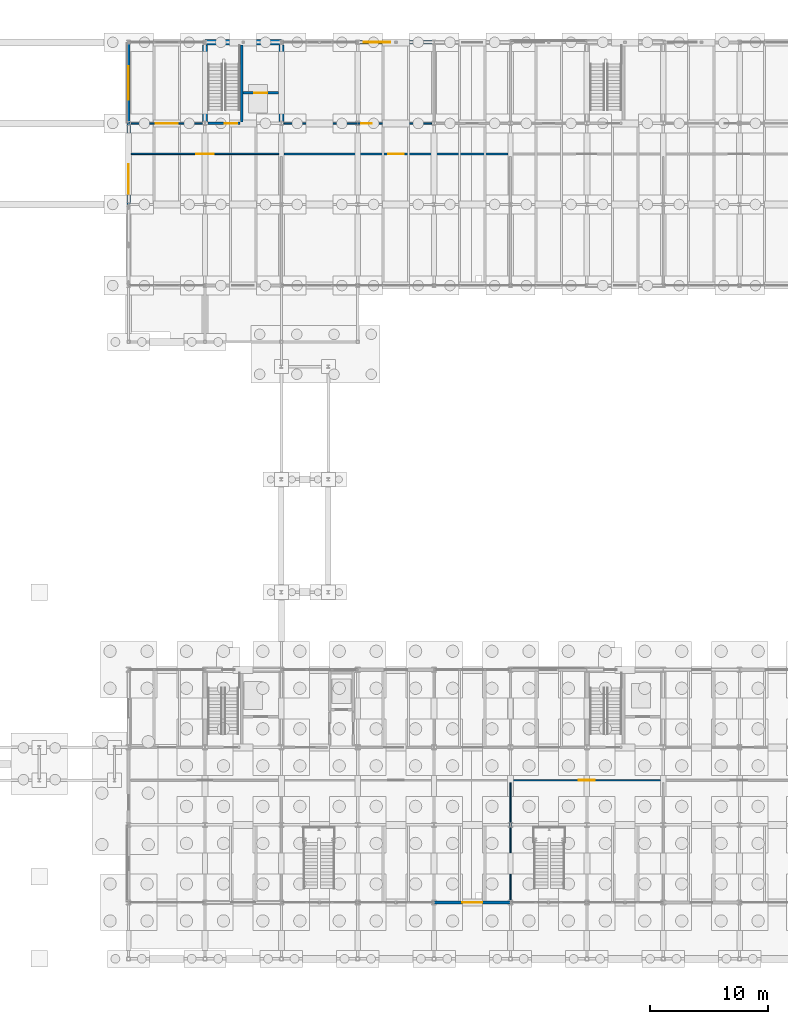
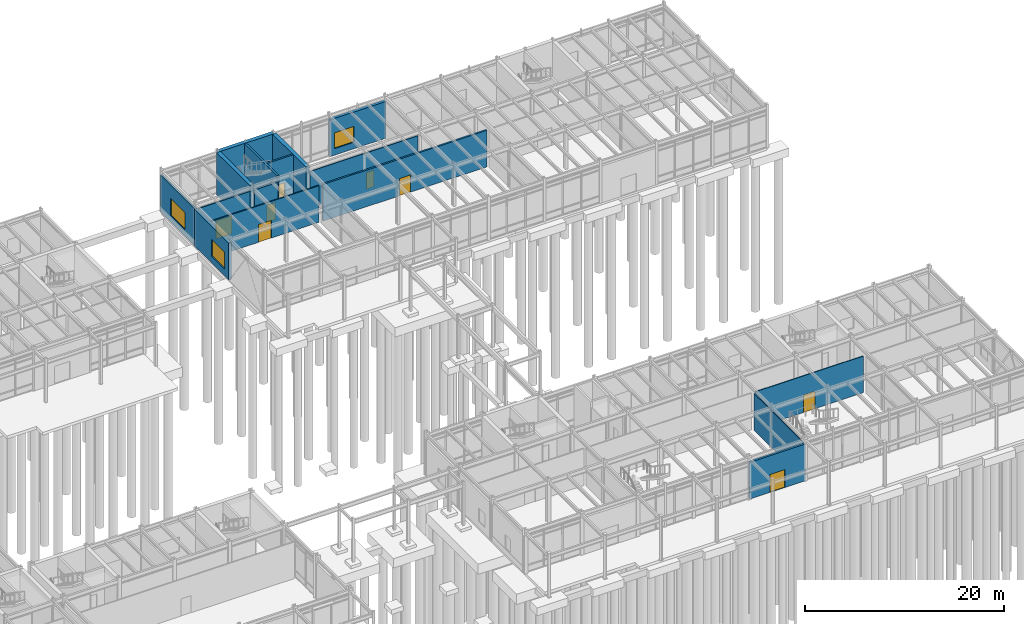
# One storey, part 73 of 82: 16 walls, 8 doors, 3 windows, 11 openings.
"""IFC4 building model written with IfcOpenShell, lengths in metres."""

import ifcopenshell
import ifcopenshell.guid

model = None  # the IFC model being written
_history = None  # IfcOwnerHistory: only IFC2X3 demands one
_inside = {}  # id of a spatial element -> (the spatial element, [elements in it])
_under = {}  # id of a project, library or spatial element -> (it, [spatial elements below it])
_declared = {}  # id of a project -> (the project, [libraries it declares])
_typed = {}  # id of a type object -> (the type object, [elements of that type])
_made_of = {}  # id of a material, layer set ... -> (it, [elements and type objects made of it])


def new_model(schema):
    """Start an empty IFC model of exactly this schema.

    Asked for "IFC4X3", IfcOpenShell would pick the latest addendum, in which some entities
    have other attributes; the version numbers below select the first issue.
    IFC2X3 requires an IfcOwnerHistory on every rooted entity: one is made here for all.
    """
    global model, _history
    if schema == "IFC4X3":
        model = ifcopenshell.file(schema_version=(4, 3, 0, 0))
    else:
        model = ifcopenshell.file(schema=schema)
    _inside.clear()
    _under.clear()
    _declared.clear()
    _typed.clear()
    _made_of.clear()
    _history = None
    if model.schema == "IFC2X3":
        org = make("IfcOrganization", Name="unknown")
        user = make(
            "IfcPersonAndOrganization",
            ThePerson=make("IfcPerson", FamilyName="unknown"),
            TheOrganization=org,
        )
        app = make(
            "IfcApplication",
            ApplicationDeveloper=org,
            Version="unknown",
            ApplicationFullName="unknown",
            ApplicationIdentifier="unknown",
        )
        _history = make(
            "IfcOwnerHistory",
            OwningUser=user,
            OwningApplication=app,
            ChangeAction="ADDED",
            CreationDate=0,
        )
    return model


def make(cls, **values):
    """One entity of the class cls with the attributes given. An attribute that is None is left unset."""
    return model.create_entity(
        cls, **{name: value for name, value in values.items() if value is not None}
    )


def rooted(cls, **values):
    """An entity with a GlobalId (a new one), such as an element, a storey or a relation."""
    return make(cls, GlobalId=ifcopenshell.guid.new(), OwnerHistory=_history, **values)


def si_unit(unit_type, name, prefix=None):
    """IfcSIUnit, for example si_unit("LENGTHUNIT", "METRE", prefix="MILLI")."""
    return make("IfcSIUnit", UnitType=unit_type, Prefix=prefix, Name=name)


def assignment(units):
    """IfcUnitAssignment: the units of a project."""
    return None if units is None else make("IfcUnitAssignment", Units=units)


def point(xyz):
    """IfcCartesianPoint."""
    return None if xyz is None else make("IfcCartesianPoint", Coordinates=xyz)


def direction(xyz):
    """IfcDirection."""
    return None if xyz is None else make("IfcDirection", DirectionRatios=xyz)


def frame(location, z_axis=None, x_axis=None):
    """IfcAxis2Placement3D, a coordinate frame: its origin and axes. An axis left out is left unset."""
    return make(
        "IfcAxis2Placement3D",
        Location=point(location),
        Axis=direction(z_axis),
        RefDirection=direction(x_axis),
    )


def frame_2d(location, x_axis=None):
    """IfcAxis2Placement2D, a coordinate frame in the plane: its origin and x axis."""
    return make(
        "IfcAxis2Placement2D", Location=point(location), RefDirection=direction(x_axis)
    )


def origin():
    """The frame at (0, 0, 0) with its axes left unset."""
    return frame((0.0, 0.0, 0.0))


def place(relative_to, where):
    """IfcLocalPlacement: puts the frame where relative to a parent placement (None: the world)."""
    return make(
        "IfcLocalPlacement", PlacementRelTo=relative_to, RelativePlacement=where
    )


def context(
    kind, dimensions, precision=None, world=None, true_north=None, identifier=None
):
    """IfcGeometricRepresentationContext, for example the 3D "Model" context."""
    return make(
        "IfcGeometricRepresentationContext",
        ContextIdentifier=identifier,
        ContextType=kind,
        CoordinateSpaceDimension=dimensions,
        Precision=precision,
        WorldCoordinateSystem=world,
        TrueNorth=true_north,
    )


def subcontext(parent, identifier, kind, view, scale=None):
    """IfcGeometricRepresentationSubContext, for example "Body" below "Model"."""
    return make(
        "IfcGeometricRepresentationSubContext",
        ContextIdentifier=identifier,
        ContextType=kind,
        ParentContext=parent,
        TargetScale=scale,
        TargetView=view,
    )


def project(units=None, contexts=None):
    """IfcProject with its units and contexts."""
    return rooted(
        "IfcProject",
        Name="project",
        RepresentationContexts=contexts,
        UnitsInContext=assignment(units),
    )


def spatial(cls, under=None, at=None, **own):
    """A site, building, storey or space (cls), placed at a placement, below another one or the project."""
    s = rooted(cls, ObjectPlacement=at, **own)
    if under is not None:
        _under.setdefault(under.id(), (under, []))[1].append(s)
    return s


def profile(cls, at=None, kind="AREA", **sizes):
    """A parametric profile (cls). Its sizes go by their IFC names, for example OverallWidth=200.0."""
    return make(cls, ProfileType=kind, Position=at, **sizes)


def rectangle(**sizes):
    """IfcRectangleProfileDef."""
    return profile("IfcRectangleProfileDef", **sizes)


def extrude(swept, where, along, depth):
    """IfcExtrudedAreaSolid: the profile swept, set in the frame where, extruded along a direction by depth."""
    return make(
        "IfcExtrudedAreaSolid",
        SweptArea=swept,
        Position=where,
        ExtrudedDirection=direction(along),
        Depth=depth,
    )


def shape(context_of_items, identifier, shape_type, items):
    """IfcShapeRepresentation: the items that make up one representation, for example the "Body"."""
    return make(
        "IfcShapeRepresentation",
        ContextOfItems=context_of_items,
        RepresentationIdentifier=identifier,
        RepresentationType=shape_type,
        Items=items,
    )


def material(Name=None, Category=None):
    """IfcMaterial."""
    return make("IfcMaterial", Name=Name, Category=Category)


def layer(
    of_material, thickness, ventilated=None, Name=None, Category=None, Priority=None
):
    """IfcMaterialLayer: one layer of a wall or slab, of a material (None: an air gap)."""
    return make(
        "IfcMaterialLayer",
        Material=of_material,
        LayerThickness=thickness,
        IsVentilated=ventilated,
        Name=Name,
        Category=Category,
        Priority=Priority,
    )


def layer_set(layers, Name=None):
    """IfcMaterialLayerSet."""
    return make("IfcMaterialLayerSet", MaterialLayers=layers, LayerSetName=Name)


def made_of(thing, what):
    """Note that an element or type object is made of a material, layer set ...; save() writes the relation."""
    if what is not None:
        _made_of.setdefault(what.id(), (what, []))[1].append(thing)
    return thing


def type_object(cls, material=None, **own):
    """A type object (cls), such as IfcWallType, which elements share."""
    return made_of(rooted(cls, **own), material)


def element(
    cls,
    number,
    at=None,
    inside=None,
    cuts=None,
    type_object=None,
    material=None,
    context=None,
    identifier="Body",
    shape_type=None,
    held_by="IfcProductDefinitionShape",
    body=None,
    shapes=None,
    **own,
):
    """One element of the class cls, such as IfcWall. Its Tag is "e" and its number.

    at: its placement. inside: the storey or other place that contains it. cuts: it is an
    opening in that element (IfcRelVoidsElement). A single representation is given by context,
    identifier, shape_type and body (its items); several are given by shapes. held_by: the class
    of the entity that holds the representations. save() writes the other relations.
    """
    e = rooted(cls, Tag="e%d" % number, ObjectPlacement=at, **own)
    if body is not None:
        shapes = [shape(context, identifier, shape_type, body)]
    if shapes is not None:
        e.Representation = make(held_by, Representations=shapes)
    if inside is not None:
        _inside.setdefault(inside.id(), (inside, []))[1].append(e)
    if cuts is not None:
        rooted(
            "IfcRelVoidsElement", RelatingBuildingElement=cuts, RelatedOpeningElement=e
        )
    if type_object is not None:
        _typed.setdefault(type_object.id(), (type_object, []))[1].append(e)
    return made_of(e, material)


def fill(opening, filler):
    """IfcRelFillsElement: the door or window that sits in an opening."""
    return rooted(
        "IfcRelFillsElement",
        RelatingOpeningElement=opening,
        RelatedBuildingElement=filler,
    )


def aggregate(whole, parts):
    """IfcRelAggregates: a whole, such as a stair, and the parts it consists of."""
    return rooted("IfcRelAggregates", RelatingObject=whole, RelatedObjects=parts)


def save(model, path):
    """Write the relations noted so far, then the file.

    IfcRelAggregates (storeys below a building ...), IfcRelContainedInSpatialStructure (elements
    in a storey), IfcRelDefinesByType, IfcRelAssociatesMaterial and IfcRelDeclares: one each for
    every whole, place, type object, material and project.
    """
    for whole, parts in _under.values():
        aggregate(whole, parts)
    for where, things in _inside.values():
        rooted(
            "IfcRelContainedInSpatialStructure",
            RelatedElements=things,
            RelatingStructure=where,
        )
    for kind, things in _typed.values():
        rooted("IfcRelDefinesByType", RelatedObjects=things, RelatingType=kind)
    for what, things in _made_of.values():
        rooted("IfcRelAssociatesMaterial", RelatedObjects=things, RelatingMaterial=what)
    for by, libraries in _declared.values():
        rooted("IfcRelDeclares", RelatingContext=by, RelatedDefinitions=libraries)
    model.write(path)


model = new_model("IFC4")

# Units and contexts
model_context = context("Model", 3, precision=1e-05, world=origin(), true_north=direction((0.0, 1.0)))
body_context = subcontext(model_context, "Body", "Model", "MODEL_VIEW")
ifc_project = project(units=[si_unit("LENGTHUNIT", "METRE"), si_unit("AREAUNIT", "SQUARE_METRE"), si_unit("VOLUMEUNIT", "CUBIC_METRE"), si_unit("PLANEANGLEUNIT", "RADIAN"), si_unit("MASSUNIT", "GRAM", prefix="KILO")], contexts=[model_context])

# Site, building, storey
site_placement = place(None, origin())
site = spatial("IfcSite", under=ifc_project, at=site_placement, CompositionType="ELEMENT")
building_placement = place(site_placement, origin())
building = spatial("IfcBuilding", under=site, at=building_placement, Name="Trelmorton Wharf Fire Station", CompositionType="ELEMENT")
storey_placement = place(building_placement, origin())
storey = spatial("IfcBuildingStorey", under=building, at=storey_placement, Name="L00", CompositionType="ELEMENT", Elevation=0.0)

# Wall, opening, door
ifc_material_1 = material(Name="Precast concrete 45 MPa", Category="concrete")
ifc_layer_1 = layer(ifc_material_1, 0.22998046875)
ifc_layer_set_1 = layer_set([ifc_layer_1], Name="Precast concrete 45 MPa")
wall_type_1 = type_object("IfcWallType", Name="EW_PREC_230", PredefinedType="SOLIDWALL", material=ifc_layer_set_1)
wall_1_placement = place(storey_placement, frame((136.4951171875, 7.800048828125, 0.0), z_axis=(0.0, 0.0, 1.0), x_axis=(-1.0, 0.0, 0.0)))
wall_1 = element("IfcWall", 1, at=wall_1_placement, inside=storey, type_object=wall_type_1, Name="EW-V5-L00-0066", PredefinedType="SOLIDWALL", context=body_context, shape_type="SweptSolid", body=[
    extrude(rectangle(XDim=6.490234375, YDim=0.22998046875, at=frame_2d((3.2451171875, 0.0))), origin(), (0.0, 0.0, 1.0), 4.52001953125),
])
opening_1_placement = place(wall_1_placement, frame((2.385009765625, 0.0, 0.0)))
opening_1 = element("IfcOpeningElement", 2, at=opening_1_placement, cuts=wall_1, Name="Opening E-011", PredefinedType="OPENING", context=body_context, shape_type="SweptSolid", body=[
    extrude(rectangle(XDim=1.719970703125, YDim=2.199951171875, at=frame_2d((0.85986328125, 1.10009765625))), frame((0.0, 0.125, 0.0), z_axis=(0.0, -1.0, 0.0), x_axis=(1.0, 0.0, 0.0)), (0.0, 0.0, 1.0), 0.25),
])
ifc_material_2 = material(Name="Anodised aluminium AW-6063", Category="aluminium")
door_type_1 = type_object("IfcDoorType", Name="DR_EXT_DBL_172", OperationType="DOUBLE_DOOR_SINGLE_SWING", PredefinedType="DOOR", material=ifc_material_2)
door_1_placement = place(opening_1_placement, origin())
door_1 = element("IfcDoor", 3, at=door_1_placement, inside=storey, type_object=door_type_1, Name="Final Exit Door E-011", OperationType="DOUBLE_DOOR_SINGLE_SWING", OverallHeight=2.199951171875, OverallWidth=1.719970703125, PredefinedType="DOOR", context=body_context, shape_type="SweptSolid", body=[
    extrude(rectangle(XDim=1.719970703125, YDim=2.199951171875, at=frame_2d((0.85986328125, 1.10009765625))), frame((0.0, 0.02490234375, 0.0), z_axis=(0.0, -1.0, 0.0), x_axis=(1.0, 0.0, 0.0)), (0.0, 0.0, 1.0), 0.050048828125),
])
fill(opening_1, door_1)

# Wall, opening, window
wall_2_placement = place(storey_placement, frame((104.0, 74.10498046875, 0.0), z_axis=(0.0, 0.0, 1.0), x_axis=(0.0, 1.0, 0.0)))
wall_2 = element("IfcWall", 4, at=wall_2_placement, inside=storey, type_object=wall_type_1, Name="EW-V4-L00-0210", PredefinedType="SOLIDWALL", context=body_context, shape_type="SweptSolid", body=[
    extrude(rectangle(XDim=6.89013671875, YDim=0.22998046875, at=frame_2d((3.445068359375, 0.0))), origin(), (0.0, 0.0, 1.0), 4.52001953125),
])
opening_2_placement = place(wall_2_placement, frame((2.02001953125, 0.0, 0.800048828125)))
opening_2 = element("IfcOpeningElement", 5, at=opening_2_placement, cuts=wall_2, Name="Opening W04", PredefinedType="OPENING", context=body_context, shape_type="SweptSolid", body=[
    extrude(rectangle(XDim=2.85009765625, YDim=2.10009765625, at=frame_2d((1.425048828125, 1.050048828125))), frame((0.0, 0.125, 0.0), z_axis=(0.0, -1.0, 0.0), x_axis=(1.0, 0.0, 0.0)), (0.0, 0.0, 1.0), 0.25),
])
ifc_material_3 = material(Name="Tempered low-E double glazing", Category="glass")
window_type_1 = type_object("IfcWindowType", Name="WIN_W04", PartitioningType="TRIPLE_PANEL_VERTICAL", PredefinedType="WINDOW", material=ifc_material_3)
window_1_placement = place(opening_2_placement, origin())
window_1 = element("IfcWindow", 6, at=window_1_placement, inside=storey, type_object=window_type_1, Name="WN-V4-L00-0114", OverallHeight=2.10009765625, OverallWidth=2.85009765625, PartitioningType="TRIPLE_PANEL_VERTICAL", PredefinedType="WINDOW", context=body_context, shape_type="SweptSolid", body=[
    extrude(rectangle(XDim=2.85009765625, YDim=2.10009765625, at=frame_2d((1.425048828125, 1.050048828125))), frame((0.0, 0.030029296875, 0.0), z_axis=(0.0, -1.0, 0.0), x_axis=(1.0, 0.0, 0.0)), (0.0, 0.0, 1.0), 0.06005859375),
])
fill(opening_2, window_1)

ifc_layer_2 = layer(ifc_material_1, 0.31005859375)
ifc_layer_set_2 = layer_set([ifc_layer_2], Name="Precast concrete 45 MPa")
wall_type_2 = type_object("IfcWallType", Name="EW_TERR_310", PredefinedType="SOLIDWALL", material=ifc_layer_set_2)
wall_3_placement = place(storey_placement, frame((123.5048828125, 81.0, 0.0), z_axis=(0.0, 0.0, 1.0), x_axis=(1.0, 0.0, 0.0)))
wall_3 = element("IfcWall", 7, at=wall_3_placement, inside=storey, type_object=wall_type_2, Name="EW-V4-L00-0202", PredefinedType="SOLIDWALL", context=body_context, shape_type="SweptSolid", body=[
    extrude(rectangle(XDim=6.490234375, YDim=0.31005859375, at=frame_2d((3.2451171875, 0.0))), origin(), (0.0, 0.0, 1.0), 4.52001953125),
])
opening_3_placement = place(wall_3_placement, frame((0.512451171875, 0.0, 0.800048828125)))
opening_3 = element("IfcOpeningElement", 8, at=opening_3_placement, cuts=wall_3, Name="Opening W47", PredefinedType="OPENING", context=body_context, shape_type="SweptSolid", body=[
    extrude(rectangle(XDim=2.25, YDim=1.949951171875, at=frame_2d((1.125, 0.97509765625))), frame((0.0, 0.1650390625, 0.0), z_axis=(0.0, -1.0, 0.0), x_axis=(1.0, 0.0, 0.0)), (0.0, 0.0, 1.0), 0.330078125),
])
window_type_2 = type_object("IfcWindowType", Name="WIN_W47", PartitioningType="DOUBLE_PANEL_VERTICAL", PredefinedType="WINDOW", material=ifc_material_3)
window_2_placement = place(opening_3_placement, origin())
window_2 = element("IfcWindow", 9, at=window_2_placement, inside=storey, type_object=window_type_2, Name="WN-V4-L00-0109", OverallHeight=1.949951171875, OverallWidth=2.25, PartitioningType="DOUBLE_PANEL_VERTICAL", PredefinedType="WINDOW", context=body_context, shape_type="SweptSolid", body=[
    extrude(rectangle(XDim=2.25, YDim=1.949951171875, at=frame_2d((1.125, 0.97509765625))), frame((0.0, 0.030029296875, 0.0), z_axis=(0.0, -1.0, 0.0), x_axis=(1.0, 0.0, 0.0)), (0.0, 0.0, 1.0), 0.06005859375),
])
fill(opening_3, window_2)

wall_4_placement = place(storey_placement, frame((104.0, 67.205078125, 0.0), z_axis=(0.0, 0.0, 1.0), x_axis=(0.0, 1.0, 0.0)))
wall_4 = element("IfcWall", 10, at=wall_4_placement, inside=storey, type_object=wall_type_2, Name="EW-V4-L00-0208", PredefinedType="SOLIDWALL", context=body_context, shape_type="SweptSolid", body=[
    extrude(rectangle(XDim=6.889892578125, YDim=0.31005859375, at=frame_2d((3.44482421875, 0.0))), origin(), (0.0, 0.0, 1.0), 4.52001953125),
])
opening_4_placement = place(wall_4_placement, frame((0.887451171875, 0.0, 0.800048828125)))
opening_4 = element("IfcOpeningElement", 11, at=opening_4_placement, cuts=wall_4, Name="Opening W02", PredefinedType="OPENING", context=body_context, shape_type="SweptSolid", body=[
    extrude(rectangle(XDim=2.550048828125, YDim=2.10009765625, at=frame_2d((1.27490234375, 1.050048828125))), frame((0.0, 0.1650390625, 0.0), z_axis=(0.0, -1.0, 0.0), x_axis=(1.0, 0.0, 0.0)), (0.0, 0.0, 1.0), 0.330078125),
])
window_type_3 = type_object("IfcWindowType", Name="WIN_W02", PartitioningType="TRIPLE_PANEL_VERTICAL", PredefinedType="WINDOW", material=ifc_material_3)
window_3_placement = place(opening_4_placement, origin())
window_3 = element("IfcWindow", 12, at=window_3_placement, inside=storey, type_object=window_type_3, Name="WN-V4-L00-0112", OverallHeight=2.10009765625, OverallWidth=2.550048828125, PartitioningType="TRIPLE_PANEL_VERTICAL", PredefinedType="WINDOW", context=body_context, shape_type="SweptSolid", body=[
    extrude(rectangle(XDim=2.550048828125, YDim=2.10009765625, at=frame_2d((1.27490234375, 1.050048828125))), frame((0.0, 0.030029296875, 0.0), z_axis=(0.0, -1.0, 0.0), x_axis=(1.0, 0.0, 0.0)), (0.0, 0.0, 1.0), 0.06005859375),
])
fill(opening_4, window_3)

# Wall
ifc_material_4 = material(Name="Concrete 40 MPa", Category="concrete")
ifc_layer_3 = layer(ifc_material_4, 0.219970703125)
ifc_layer_set_3 = layer_set([ifc_layer_3], Name="Concrete 40 MPa")
wall_type_3 = type_object("IfcWallType", Name="IW_CORE_220", PredefinedType="SOLIDWALL", material=ifc_layer_set_3)
wall_5_placement = place(storey_placement, frame((113.6201171875, 74.219970703125, 0.0), z_axis=(0.0, 0.0, 1.0), x_axis=(0.0, 1.0, 0.0)))
element("IfcWall", 13, at=wall_5_placement, inside=storey, type_object=wall_type_3, Name="IW-C7-DIV-L00", PredefinedType="SOLIDWALL", context=body_context, shape_type="SweptSolid", body=[
    extrude(rectangle(XDim=6.554931640625, YDim=0.219970703125, at=frame_2d((3.27734375, 0.0))), origin(), (0.0, 0.0, 1.0), 5.159912109375),
])

# Wall, opening, door
wall_6_placement = place(storey_placement, frame((110.760009765625, 74.10009765625, 0.0), z_axis=(0.0, 0.0, 1.0), x_axis=(1.0, 0.0, 0.0)))
wall_6 = element("IfcWall", 14, at=wall_6_placement, inside=storey, type_object=wall_type_3, Name="IW-C7-SF-L00", PredefinedType="SOLIDWALL", context=body_context, shape_type="SweptSolid", body=[
    extrude(rectangle(XDim=2.739990234375, YDim=0.219970703125, at=frame_2d((1.3701171875, 0.0))), origin(), (0.0, 0.0, 1.0), 4.52001953125),
])
opening_5_placement = place(wall_6_placement, frame((1.43994140625, 0.0, 0.0)))
opening_5 = element("IfcOpeningElement", 15, at=opening_5_placement, cuts=wall_6, Name="Opening FD-042", PredefinedType="OPENING", context=body_context, shape_type="SweptSolid", body=[
    extrude(rectangle(XDim=1.06005859375, YDim=2.10009765625, at=frame_2d((0.530029296875, 1.050048828125))), frame((0.0, 0.1201171875, 0.0), z_axis=(0.0, -1.0, 0.0), x_axis=(1.0, 0.0, 0.0)), (0.0, 0.0, 1.0), 0.239990234375),
])
ifc_material_5 = material(Name="Stainless steel 316 marine grade", Category="steel")
door_type_2 = type_object("IfcDoorType", Name="DR_FIRE_106", OperationType="NOTDEFINED", PredefinedType="DOOR", material=ifc_material_5)
door_2_placement = place(opening_5_placement, origin())
door_2 = element("IfcDoor", 16, at=door_2_placement, inside=storey, type_object=door_type_2, Name="Stair Fire Door FD-042", OperationType="SINGLE_SWING_RIGHT", OverallHeight=2.10009765625, OverallWidth=1.06005859375, PredefinedType="DOOR", context=body_context, shape_type="SweptSolid", body=[
    extrude(rectangle(XDim=1.06005859375, YDim=2.10009765625, at=frame_2d((0.530029296875, 1.050048828125))), frame((0.0, 0.02490234375, 0.0), z_axis=(0.0, -1.0, 0.0), x_axis=(1.0, 0.0, 0.0)), (0.0, 0.0, 1.0), 0.050048828125),
])
fill(opening_5, door_2)

wall_7_placement = place(storey_placement, frame((113.739990234375, 76.699951171875, 0.0), z_axis=(0.0, 0.0, 1.0), x_axis=(1.0, 0.0, 0.0)))
wall_7 = element("IfcWall", 17, at=wall_7_placement, inside=storey, type_object=wall_type_3, Name="IW-C7-LSH-L00", PredefinedType="SOLIDWALL", context=body_context, shape_type="SweptSolid", body=[
    extrude(rectangle(XDim=3.034912109375, YDim=0.219970703125, at=frame_2d((1.517578125, 0.0))), origin(), (0.0, 0.0, 1.0), 5.159912109375),
])
opening_6_placement = place(wall_7_placement, frame((0.967529296875, 0.0, 0.0)))
opening_6 = element("IfcOpeningElement", 18, at=opening_6_placement, cuts=wall_7, Name="Opening LD-033", PredefinedType="OPENING", context=body_context, shape_type="SweptSolid", body=[
    extrude(rectangle(XDim=1.10009765625, YDim=2.10009765625, at=frame_2d((0.550048828125, 1.050048828125))), frame((0.0, 0.1201171875, 0.0), z_axis=(0.0, -1.0, 0.0), x_axis=(1.0, 0.0, 0.0)), (0.0, 0.0, 1.0), 0.239990234375),
])
door_type_3 = type_object("IfcDoorType", Name="DR_LIFT_110", OperationType="DOUBLE_DOOR_SLIDING", PredefinedType="DOOR", material=ifc_material_5)
door_3_placement = place(opening_6_placement, origin())
door_3 = element("IfcDoor", 19, at=door_3_placement, inside=storey, type_object=door_type_3, Name="Lift Landing Door LD-033", OperationType="DOUBLE_DOOR_SLIDING", OverallHeight=2.10009765625, OverallWidth=1.10009765625, PredefinedType="DOOR", context=body_context, shape_type="SweptSolid", body=[
    extrude(rectangle(XDim=1.10009765625, YDim=2.10009765625, at=frame_2d((0.550048828125, 1.050048828125))), frame((0.0, 0.02490234375, 0.0), z_axis=(0.0, -1.0, 0.0), x_axis=(1.0, 0.0, 0.0)), (0.0, 0.0, 1.0), 0.050048828125),
])
fill(opening_6, door_3)

ifc_layer_4 = layer(ifc_material_1, 0.199951171875)
ifc_layer_set_4 = layer_set([ifc_layer_4], Name="Precast concrete 45 MPa")
wall_type_4 = type_object("IfcWallType", Name="IW_FIRE_200", PredefinedType="PARTITIONING", material=ifc_layer_set_4)
wall_8_placement = place(storey_placement, frame((117.219970703125, 71.5, 0.0), z_axis=(0.0, 0.0, 1.0), x_axis=(1.0, 0.0, 0.0)))
wall_8 = element("IfcWall", 20, at=wall_8_placement, inside=storey, type_object=wall_type_4, Name="IW-L00-0055", PredefinedType="PARTITIONING", context=body_context, shape_type="SweptSolid", body=[
    extrude(rectangle(XDim=19.06005859375, YDim=0.199951171875, at=frame_2d((9.530029296875, 0.0))), origin(), (0.0, 0.0, 1.0), 4.5),
])
opening_7_placement = place(wall_8_placement, frame((8.8701171875, 0.0, 0.0)))
opening_7 = element("IfcOpeningElement", 21, at=opening_7_placement, cuts=wall_8, Name="Opening D-037", PredefinedType="OPENING", context=body_context, shape_type="SweptSolid", body=[
    extrude(rectangle(XDim=1.320068359375, YDim=2.1201171875, at=frame_2d((0.66015625, 1.06005859375))), frame((0.0, 0.10986328125, 0.0), z_axis=(0.0, -1.0, 0.0), x_axis=(1.0, 0.0, 0.0)), (0.0, 0.0, 1.0), 0.219970703125),
])
door_type_4 = type_object("IfcDoorType", Name="DR_FIRE_132", OperationType="NOTDEFINED", PredefinedType="DOOR", material=ifc_material_5)
door_4_placement = place(opening_7_placement, origin())
door_4 = element("IfcDoor", 22, at=door_4_placement, inside=storey, type_object=door_type_4, Name="Interior Door D-037", OperationType="SINGLE_SWING_LEFT", OverallHeight=2.1201171875, OverallWidth=1.320068359375, PredefinedType="DOOR", context=body_context, shape_type="SweptSolid", body=[
    extrude(rectangle(XDim=1.320068359375, YDim=2.1201171875, at=frame_2d((0.66015625, 1.06005859375))), frame((0.0, 0.02490234375, 0.0), z_axis=(0.0, -1.0, 0.0), x_axis=(1.0, 0.0, 0.0)), (0.0, 0.0, 1.0), 0.050048828125),
])
fill(opening_7, door_4)

# Wall
ifc_material_6 = material(Name="Acoustic timber panelling", Category="wood")
ifc_layer_5 = layer(ifc_material_6, 0.090087890625)
ifc_layer_set_5 = layer_set([ifc_layer_5], Name="Acoustic timber panelling")
wall_type_5 = type_object("IfcWallType", Name="IW_MOVE_090", PredefinedType="MOVABLE", material=ifc_layer_set_5)
wall_9_placement = place(storey_placement, frame((136.5, 8.02001953125, 0.0), z_axis=(0.0, 0.0, 1.0), x_axis=(0.0, 1.0, 0.0)))
element("IfcWall", 23, at=wall_9_placement, inside=storey, type_object=wall_type_5, Name="IW-L00-0018", PredefinedType="MOVABLE", context=body_context, shape_type="SweptSolid", body=[
    extrude(rectangle(XDim=9.9599609375, YDim=0.090087890625, at=frame_2d((4.97998046875, 0.0))), origin(), (0.0, 0.0, 1.0), 4.5),
])

# Wall, opening, door
ifc_material_7 = material(Name="Gypsum plasterboard partition")
ifc_layer_6 = layer(ifc_material_7, 0.10009765625)
ifc_layer_set_6 = layer_set([ifc_layer_6], Name="Gypsum plasterboard partition")
wall_type_6 = type_object("IfcWallType", Name="IW_PART_100", PredefinedType="PARTITIONING", material=ifc_layer_set_6)
wall_10_placement = place(storey_placement, frame((136.719970703125, 18.199951171875, 0.0), z_axis=(0.0, 0.0, 1.0), x_axis=(1.0, 0.0, 0.0)))
wall_10 = element("IfcWall", 24, at=wall_10_placement, inside=storey, type_object=wall_type_6, Name="IW-L00-0021", PredefinedType="PARTITIONING", context=body_context, shape_type="SweptSolid", body=[
    extrude(rectangle(XDim=12.56005859375, YDim=0.10009765625, at=frame_2d((6.280029296875, 0.0))), origin(), (0.0, 0.0, 1.0), 4.5),
])
opening_8_placement = place(wall_10_placement, frame((5.60009765625, 0.0, 0.0)))
opening_8 = element("IfcOpeningElement", 25, at=opening_8_placement, cuts=wall_10, Name="Opening D-014", PredefinedType="OPENING", context=body_context, shape_type="SweptSolid", body=[
    extrude(rectangle(XDim=1.360107421875, YDim=2.14990234375, at=frame_2d((0.68017578125, 1.074951171875))), frame((0.0, 0.06005859375, 0.0), z_axis=(0.0, -1.0, 0.0), x_axis=(1.0, 0.0, 0.0)), (0.0, 0.0, 1.0), 0.1201171875),
])
door_type_5 = type_object("IfcDoorType", Name="DR_INT_136", OperationType="DOUBLE_DOOR_SINGLE_SWING", PredefinedType="DOOR", material=ifc_material_6)
door_5_placement = place(opening_8_placement, origin())
door_5 = element("IfcDoor", 26, at=door_5_placement, inside=storey, type_object=door_type_5, Name="Interior Door D-014", OperationType="DOUBLE_DOOR_SINGLE_SWING", OverallHeight=2.14990234375, OverallWidth=1.360107421875, PredefinedType="DOOR", context=body_context, shape_type="SweptSolid", body=[
    extrude(rectangle(XDim=1.360107421875, YDim=2.14990234375, at=frame_2d((0.68017578125, 1.074951171875))), frame((0.0, 0.02490234375, 0.0), z_axis=(0.0, -1.0, 0.0), x_axis=(1.0, 0.0, 0.0)), (0.0, 0.0, 1.0), 0.050048828125),
])
fill(opening_8, door_5)

ifc_layer_7 = layer(ifc_material_7, 0.1298828125)
ifc_layer_set_7 = layer_set([ifc_layer_7], Name="Gypsum plasterboard partition")
wall_type_7 = type_object("IfcWallType", Name="IW_PART_130", PredefinedType="PARTITIONING", material=ifc_layer_set_7)
wall_11_placement = place(storey_placement, frame((104.219970703125, 71.5, 0.0), z_axis=(0.0, 0.0, 1.0), x_axis=(1.0, 0.0, 0.0)))
wall_11 = element("IfcWall", 27, at=wall_11_placement, inside=storey, type_object=wall_type_7, Name="IW-L00-0053", PredefinedType="PARTITIONING", context=body_context, shape_type="SweptSolid", body=[
    extrude(rectangle(XDim=12.56005859375, YDim=0.1298828125, at=frame_2d((6.280029296875, 0.0))), origin(), (0.0, 0.0, 1.0), 4.5),
])
opening_9_placement = place(wall_11_placement, frame((5.5400390625, 0.0, 0.0)))
opening_9 = element("IfcOpeningElement", 28, at=opening_9_placement, cuts=wall_11, Name="Opening D-036", PredefinedType="OPENING", context=body_context, shape_type="SweptSolid", body=[
    extrude(rectangle(XDim=1.47998046875, YDim=2.179931640625, at=frame_2d((0.739990234375, 1.08984375))), frame((0.0, 0.074951171875, 0.0), z_axis=(0.0, -1.0, 0.0), x_axis=(1.0, 0.0, 0.0)), (0.0, 0.0, 1.0), 0.14990234375),
])
door_type_6 = type_object("IfcDoorType", Name="DR_INT_148", OperationType="DOUBLE_DOOR_SINGLE_SWING", PredefinedType="DOOR", material=ifc_material_6)
door_6_placement = place(opening_9_placement, origin())
door_6 = element("IfcDoor", 29, at=door_6_placement, inside=storey, type_object=door_type_6, Name="Interior Door D-036", OperationType="DOUBLE_DOOR_SINGLE_SWING", OverallHeight=2.179931640625, OverallWidth=1.47998046875, PredefinedType="DOOR", context=body_context, shape_type="SweptSolid", body=[
    extrude(rectangle(XDim=1.47998046875, YDim=2.179931640625, at=frame_2d((0.739990234375, 1.08984375))), frame((0.0, 0.02490234375, 0.0), z_axis=(0.0, -1.0, 0.0), x_axis=(1.0, 0.0, 0.0)), (0.0, 0.0, 1.0), 0.050048828125),
])
fill(opening_9, door_6)

wall_12_placement = place(storey_placement, frame((117.219970703125, 74.10009765625, 0.0), z_axis=(0.0, 0.0, 1.0), x_axis=(1.0, 0.0, 0.0)))
wall_12 = element("IfcWall", 30, at=wall_12_placement, inside=storey, type_object=wall_type_7, Name="IW-L00-0060", PredefinedType="PARTITIONING", context=body_context, shape_type="SweptSolid", body=[
    extrude(rectangle(XDim=12.56005859375, YDim=0.1298828125, at=frame_2d((6.280029296875, 0.0))), origin(), (0.0, 0.0, 1.0), 4.5),
])
opening_10_placement = place(wall_12_placement, frame((6.590087890625, 0.0, 0.0)))
opening_10 = element("IfcOpeningElement", 31, at=opening_10_placement, cuts=wall_12, Name="Opening D-041", PredefinedType="OPENING", context=body_context, shape_type="SweptSolid", body=[
    extrude(rectangle(XDim=0.8798828125, YDim=2.0400390625, at=frame_2d((0.43994140625, 1.02001953125))), frame((0.0, 0.074951171875, 0.0), z_axis=(0.0, -1.0, 0.0), x_axis=(1.0, 0.0, 0.0)), (0.0, 0.0, 1.0), 0.14990234375),
])
door_type_7 = type_object("IfcDoorType", Name="DR_INT_088", OperationType="NOTDEFINED", PredefinedType="DOOR", material=ifc_material_6)
door_7_placement = place(opening_10_placement, origin())
door_7 = element("IfcDoor", 32, at=door_7_placement, inside=storey, type_object=door_type_7, Name="Interior Door D-041", OperationType="SINGLE_SWING_RIGHT", OverallHeight=2.0400390625, OverallWidth=0.8798828125, PredefinedType="DOOR", context=body_context, shape_type="SweptSolid", body=[
    extrude(rectangle(XDim=0.8798828125, YDim=2.0400390625, at=frame_2d((0.43994140625, 1.02001953125))), frame((0.0, 0.02490234375, 0.0), z_axis=(0.0, -1.0, 0.0), x_axis=(1.0, 0.0, 0.0)), (0.0, 0.0, 1.0), 0.050048828125),
])
fill(opening_10, door_7)

ifc_layer_8 = layer(ifc_material_7, 0.139892578125)
ifc_layer_set_8 = layer_set([ifc_layer_8], Name="Gypsum plasterboard partition")
wall_type_8 = type_object("IfcWallType", Name="IW_PART_140", PredefinedType="PARTITIONING", material=ifc_layer_set_8)
wall_13_placement = place(storey_placement, frame((104.219970703125, 74.10009765625, 0.0), z_axis=(0.0, 0.0, 1.0), x_axis=(1.0, 0.0, 0.0)))
wall_13 = element("IfcWall", 33, at=wall_13_placement, inside=storey, type_object=wall_type_8, Name="IW-L00-0059", PredefinedType="PARTITIONING", context=body_context, shape_type="SweptSolid", body=[
    extrude(rectangle(XDim=6.06005859375, YDim=0.139892578125, at=frame_2d((3.030029296875, 0.0))), origin(), (0.0, 0.0, 1.0), 4.5),
])
opening_11_placement = place(wall_13_placement, frame((2.110107421875, 0.0, 0.0)))
opening_11 = element("IfcOpeningElement", 34, at=opening_11_placement, cuts=wall_13, Name="Opening D-040", PredefinedType="OPENING", context=body_context, shape_type="SweptSolid", body=[
    extrude(rectangle(XDim=1.840087890625, YDim=2.219970703125, at=frame_2d((0.919921875, 1.10986328125))), frame((0.0, 0.080078125, 0.0), z_axis=(0.0, -1.0, 0.0), x_axis=(1.0, 0.0, 0.0)), (0.0, 0.0, 1.0), 0.159912109375),
])
door_type_8 = type_object("IfcDoorType", Name="DR_INT_184", OperationType="DOUBLE_DOOR_SINGLE_SWING", PredefinedType="DOOR", material=ifc_material_6)
door_8_placement = place(opening_11_placement, origin())
door_8 = element("IfcDoor", 35, at=door_8_placement, inside=storey, type_object=door_type_8, Name="Interior Door D-040", OperationType="DOUBLE_DOOR_SINGLE_SWING", OverallHeight=2.219970703125, OverallWidth=1.840087890625, PredefinedType="DOOR", context=body_context, shape_type="SweptSolid", body=[
    extrude(rectangle(XDim=1.840087890625, YDim=2.219970703125, at=frame_2d((0.919921875, 1.10986328125))), frame((0.0, 0.02490234375, 0.0), z_axis=(0.0, -1.0, 0.0), x_axis=(1.0, 0.0, 0.0)), (0.0, 0.0, 1.0), 0.050048828125),
])
fill(opening_11, door_8)

# Walls
ifc_material_8 = material(Name="Concrete 50 MPa", Category="concrete")
ifc_layer_9 = layer(ifc_material_8, 0.43994140625)
ifc_layer_set_9 = layer_set([ifc_layer_9], Name="Concrete 50 MPa")
wall_type_9 = type_object("IfcWallType", Name="WL_CORE_440", PredefinedType="SHEAR", material=ifc_layer_set_9)
wall_14_placement = place(storey_placement, frame((110.5, 81.0, 0.0), z_axis=(0.0, 0.0, 1.0), x_axis=(1.0, 0.0, 0.0)))
element("IfcWall", 36, at=wall_14_placement, inside=storey, type_object=wall_type_9, Name="WL-SW-C7-L00-124", PredefinedType="SHEAR", context=body_context, shape_type="SweptSolid", body=[
    extrude(rectangle(XDim=6.5, YDim=0.43994140625, at=frame_2d((3.25, 0.0))), origin(), (0.0, 0.0, 1.0), 5.159912109375),
])
for number, where, z_axis, x_axis, name in (
    (37, (110.5, 74.10009765625, 0.0), (0.0, 0.0, 1.0), (0.0, 1.0, 0.0), "WL-SW-C7-L00-125"),
    (38, (117.0, 74.10009765625, 0.0), (0.0, 0.0, 1.0), (0.0, 1.0, 0.0), "WL-SW-C7-L00-126"),
):
    element("IfcWall", number, at=place(storey_placement, frame(where, z_axis=z_axis, x_axis=x_axis)), inside=storey, type_object=wall_type_9, Name=name, PredefinedType="SHEAR", context=body_context, shape_type="SweptSolid", body=[
        extrude(rectangle(XDim=6.679931640625, YDim=0.43994140625, at=frame_2d((3.33984375, 0.0))), origin(), (0.0, 0.0, 1.0), 5.159912109375),
    ])

save(model, "model.ifc")
